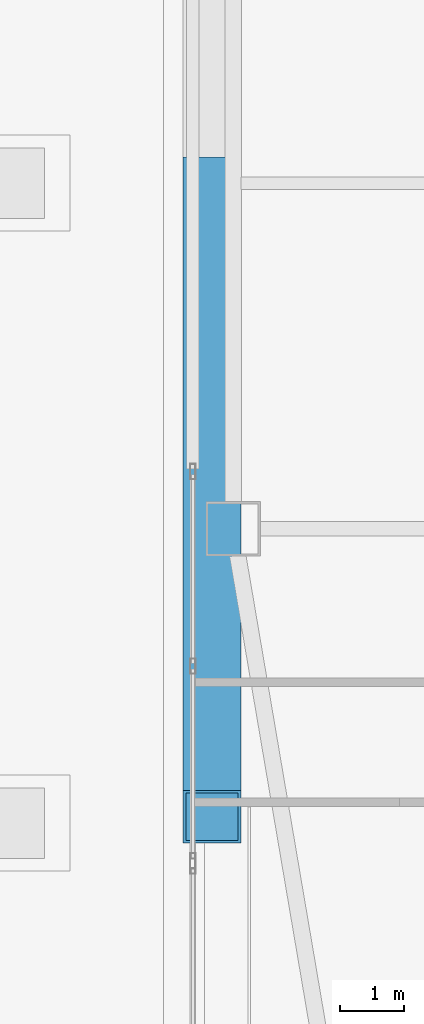
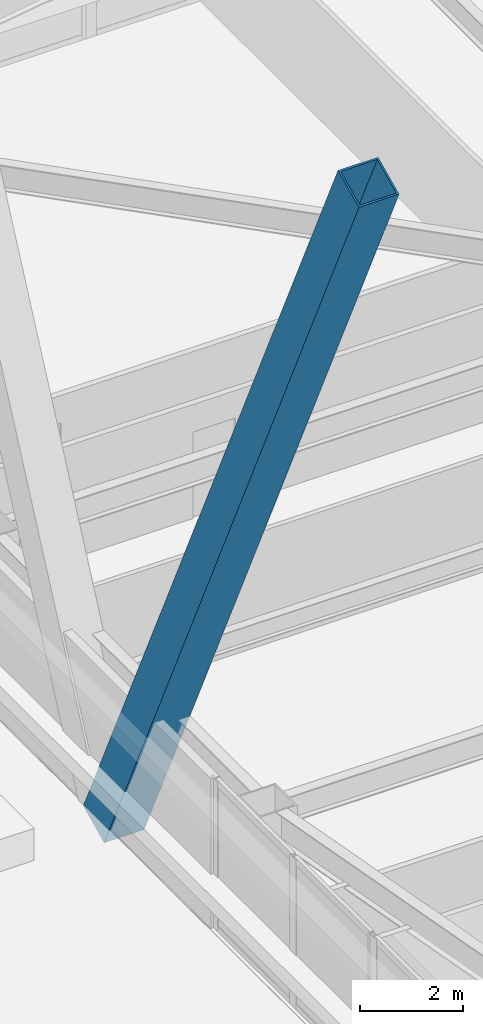
# One storey, part 7 of 83: 1 member.
"""IFC4 building model written with IfcOpenShell, lengths in metres."""

from ifc_helpers import new_model, si_unit, direction, frame, origin, origin_2d, place, context, subcontext, project, spatial, hollow_rectangle, extrude, material, material_profile, profile_set, type_object, element, save


model = new_model("IFC4")

# Units and contexts
model_context = context("Model", 3, precision=1e-05, world=origin(), true_north=direction((0.0, 1.0)))
body_context = subcontext(model_context, "Body", "Model", "MODEL_VIEW")
ifc_project = project(units=[si_unit("LENGTHUNIT", "METRE"), si_unit("AREAUNIT", "SQUARE_METRE"), si_unit("VOLUMEUNIT", "CUBIC_METRE"), si_unit("PLANEANGLEUNIT", "RADIAN"), si_unit("MASSUNIT", "GRAM", prefix="KILO")], contexts=[model_context])

# Site, building, storey
site_placement = place(None, origin())
site = spatial("IfcSite", under=ifc_project, at=site_placement, CompositionType="ELEMENT")
building_placement = place(site_placement, origin())
building = spatial("IfcBuilding", under=site, at=building_placement, Name="Tashvorn Skyway Center", CompositionType="ELEMENT")
storey_placement = place(building_placement, frame((0.0, 0.0, 24.60009765625)))
storey = spatial("IfcBuildingStorey", under=building, at=storey_placement, Name="L05", CompositionType="ELEMENT", Elevation=24.60009765625)

# Member
ifc_material = material(Name="Steel ASTM A572 Grade 50", Category="steel")
ifc_material_profile = material_profile(ifc_material, hollow_rectangle(XDim=0.89990234375, YDim=0.89990234375, WallThickness=0.0400390625, at=origin_2d()), Name="BOX900x900x40")
ifc_profile_set = profile_set([ifc_material_profile], Name="Steel ASTM A572 Grade 50")
member_type = type_object("IfcMemberType", Name="MEM-MB-900", PredefinedType="BRACE", material=ifc_profile_set)
member_placement = place(storey_placement, frame((19.419921875, 32.0, -0.22021484375), z_axis=(0.0, -0.425254538693, 0.905073796616), x_axis=(1.0, 0.0, 0.0)))
element("IfcMember", 1, at=member_placement, inside=storey, type_object=member_type, Name="Tower 1 Zone 1 W Chevron Mega-Brace R1", PredefinedType="BRACE", context=body_context, shape_type="SweptSolid", body=[
    extrude(hollow_rectangle(XDim=0.89990234375, YDim=0.89990234375, WallThickness=0.0400390625, at=origin_2d()), origin(), (0.0, 0.0, 1.0), 23.280029296875),
])

save(model, "model.ifc")
